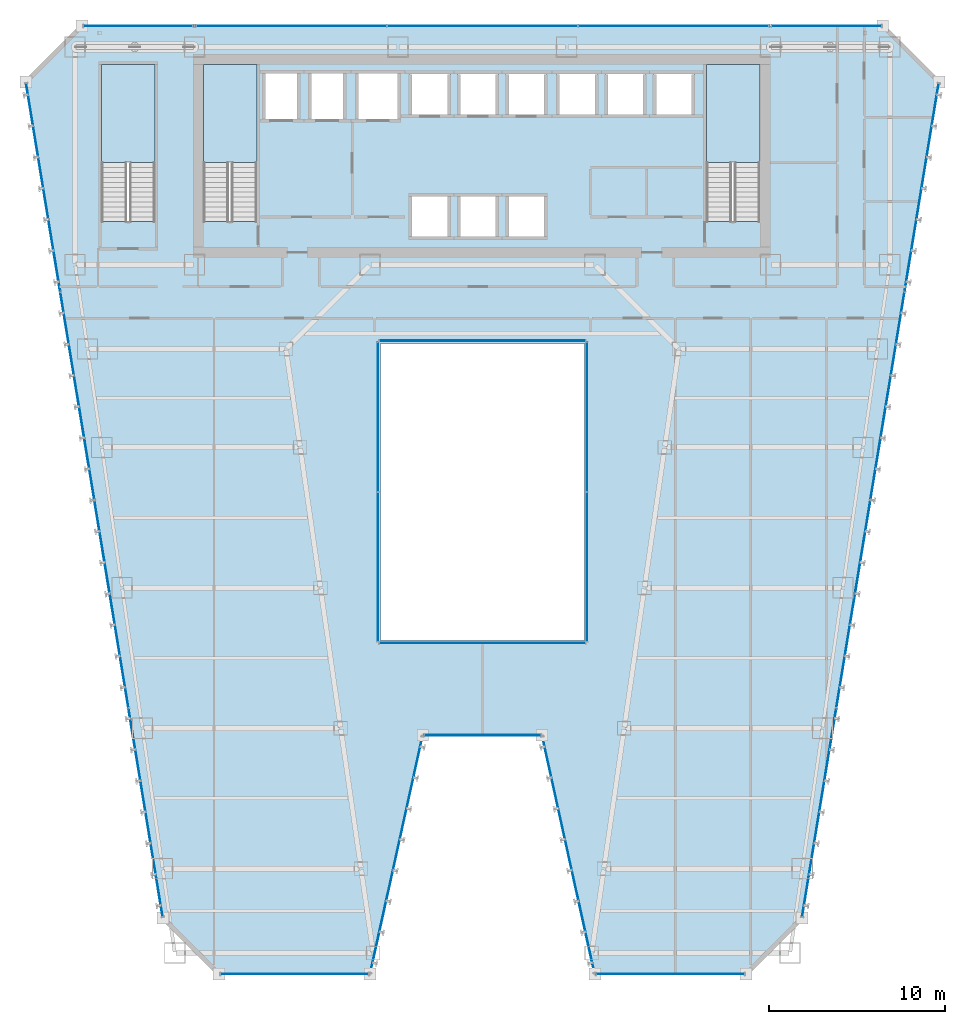
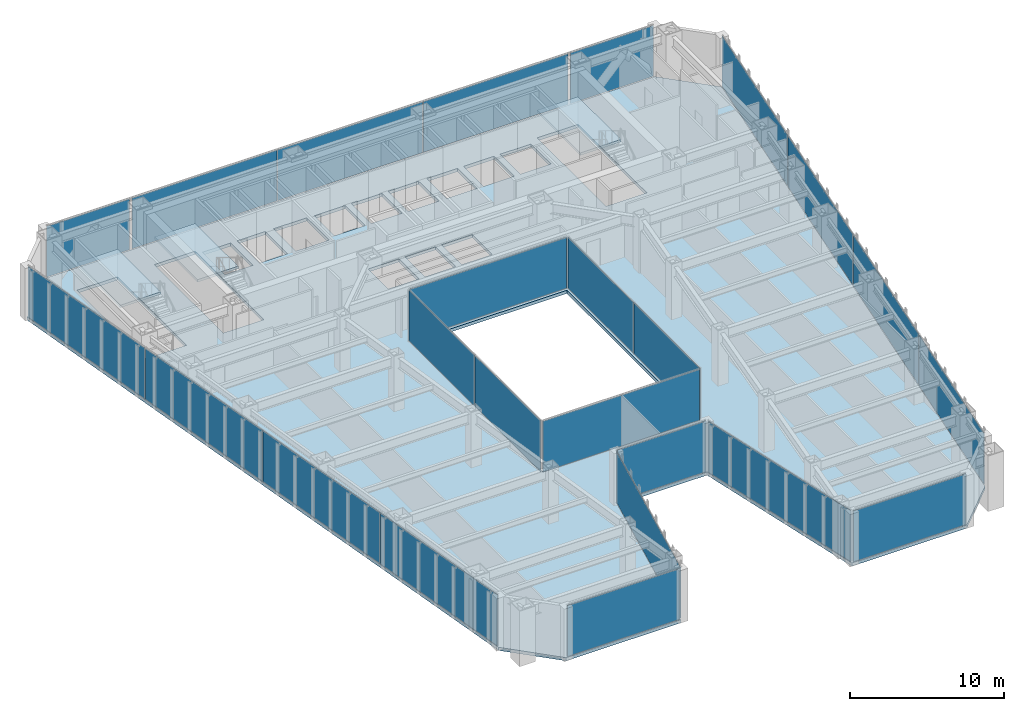
# One storey, part 34 of 47: 24 plates, 4 slabs, 17 elements without a shape of their own.
"""IFC4 building model written with IfcOpenShell, lengths in metres."""

from ifc_helpers import new_model, si_unit, direction, frame, origin, origin_2d, place, context, subcontext, project, spatial, polyline, rectangle, outline, extrude, material, layer, layer_set, type_object, element, aggregate, save


model = new_model("IFC4")

# Units and contexts
model_context = context("Model", 3, precision=1e-05, world=origin(), true_north=direction((0.0, 1.0)))
body_context = subcontext(model_context, "Body", "Model", "MODEL_VIEW")
ifc_project = project(units=[si_unit("LENGTHUNIT", "METRE"), si_unit("AREAUNIT", "SQUARE_METRE"), si_unit("VOLUMEUNIT", "CUBIC_METRE"), si_unit("PLANEANGLEUNIT", "RADIAN"), si_unit("MASSUNIT", "GRAM", prefix="KILO")], contexts=[model_context])

# Site, building, storey
site_placement = place(None, origin())
site = spatial("IfcSite", under=ifc_project, at=site_placement, CompositionType="ELEMENT")
building_placement = place(site_placement, origin())
building = spatial("IfcBuilding", under=site, at=building_placement, Name="Saevonmaru Cultural Tower", CompositionType="ELEMENT")
storey_placement = place(building_placement, frame((0.0, 0.0, 60.39990234375)))
storey = spatial("IfcBuildingStorey", under=building, at=storey_placement, Name="L12", CompositionType="ELEMENT", Elevation=60.39990234375)

# Curtain wall, plate
ifc_material_1 = material(Name="Satin Bronze Anodised Aluminium", Category="aluminium")
curtain_wall_type_1 = type_object("IfcCurtainWallType", Name="CW-ATR-GLZ", PredefinedType="NOTDEFINED", material=ifc_material_1)
curtain_wall_1_placement = place(storey_placement, origin())
curtain_wall_1 = element("IfcCurtainWall", 1, at=curtain_wall_1_placement, inside=storey, type_object=curtain_wall_type_1, Name="L12 Vertical Atrium Glazed Smoke Screen 1", PredefinedType="NOTDEFINED")
ifc_material_2 = material(Name="Fire-Rated Laminated Atrium Glass", Category="glass")
ifc_layer_1 = layer(ifc_material_2, 0.031982421875, Name="Fire-Rated Laminated Atrium Glass")
ifc_layer_set_1 = layer_set([ifc_layer_1], Name="Fire-Rated Laminated Atrium Glass")
plate_type_1 = type_object("IfcPlateType", Name="PN-GLZ-ATR-INT", PredefinedType="CURTAIN_PANEL", material=ifc_layer_set_1)
plate_1_placement = place(storey_placement, frame((30.0, 20.85009765625, 0.067138671875), z_axis=(0.0, 0.0, 1.0), x_axis=(1.0, 0.0, 0.0)))
plate_1 = element("IfcPlate", 2, at=plate_1_placement, type_object=plate_type_1, Name="CW-ATR-L12-1 panel 1.1", PredefinedType="CURTAIN_PANEL", context=body_context, shape_type="SweptSolid", body=[
    extrude(rectangle(XDim=11.7109375, YDim=0.031982421875, at=origin_2d()), origin(), (0.0, 0.0, 1.0), 4.01611328125),
])
aggregate(curtain_wall_1, [plate_1])

# Curtain wall, plates
curtain_wall_2_placement = place(storey_placement, origin())
curtain_wall_2 = element("IfcCurtainWall", 3, at=curtain_wall_2_placement, inside=storey, type_object=curtain_wall_type_1, Name="L12 Vertical Atrium Glazed Smoke Screen 2", PredefinedType="NOTDEFINED")
plate_2_placement = place(storey_placement, frame((35.949951171875, 25.18505859375, 0.067138671875), z_axis=(0.0, 0.0, 1.0), x_axis=(0.0, 1.0, 0.0)))
plate_2 = element("IfcPlate", 4, at=plate_2_placement, type_object=plate_type_1, Name="CW-ATR-L12-2 panel 1.1", PredefinedType="CURTAIN_PANEL", context=body_context, shape_type="SweptSolid", body=[
    extrude(rectangle(XDim=8.48095703125, YDim=0.031982421875, at=origin_2d()), origin(), (0.0, 0.0, 1.0), 4.01611328125),
])
plate_3_placement = place(storey_placement, frame((35.949951171875, 33.735107421875, 0.067138671875), z_axis=(0.0, 0.0, 1.0), x_axis=(0.0, 1.0, 0.0)))
plate_3 = element("IfcPlate", 5, at=plate_3_placement, type_object=plate_type_1, Name="CW-ATR-L12-2 panel 2.1", PredefinedType="CURTAIN_PANEL", context=body_context, shape_type="SweptSolid", body=[
    extrude(rectangle(XDim=8.48095703125, YDim=0.031982421875, at=origin_2d()), origin(), (0.0, 0.0, 1.0), 4.01611328125),
])
aggregate(curtain_wall_2, [plate_2, plate_3])

# Curtain wall, plate
curtain_wall_3_placement = place(storey_placement, origin())
curtain_wall_3 = element("IfcCurtainWall", 6, at=curtain_wall_3_placement, inside=storey, type_object=curtain_wall_type_1, Name="L12 Vertical Atrium Glazed Smoke Screen 3", PredefinedType="NOTDEFINED")
plate_4_placement = place(storey_placement, frame((30.0, 38.070068359375, 0.067138671875), z_axis=(0.0, 0.0, 1.0), x_axis=(-1.0, 0.0, 0.0)))
plate_4 = element("IfcPlate", 7, at=plate_4_placement, type_object=plate_type_1, Name="CW-ATR-L12-3 panel 1.1", PredefinedType="CURTAIN_PANEL", context=body_context, shape_type="SweptSolid", body=[
    extrude(rectangle(XDim=11.7109375, YDim=0.031982421875, at=origin_2d()), origin(), (0.0, 0.0, 1.0), 4.01611328125),
])
aggregate(curtain_wall_3, [plate_4])

# Curtain wall, plates
curtain_wall_4_placement = place(storey_placement, origin())
curtain_wall_4 = element("IfcCurtainWall", 8, at=curtain_wall_4_placement, inside=storey, type_object=curtain_wall_type_1, Name="L12 Vertical Atrium Glazed Smoke Screen 4", PredefinedType="NOTDEFINED")
plate_5_placement = place(storey_placement, frame((24.050048828125, 33.735107421875, 0.067138671875), z_axis=(0.0, 0.0, 1.0), x_axis=(0.0, -1.0, 0.0)))
plate_5 = element("IfcPlate", 9, at=plate_5_placement, type_object=plate_type_1, Name="CW-ATR-L12-4 panel 1.1", PredefinedType="CURTAIN_PANEL", context=body_context, shape_type="SweptSolid", body=[
    extrude(rectangle(XDim=8.48095703125, YDim=0.031982421875, at=origin_2d()), origin(), (0.0, 0.0, 1.0), 4.01611328125),
])
plate_6_placement = place(storey_placement, frame((24.050048828125, 25.18505859375, 0.067138671875), z_axis=(0.0, 0.0, 1.0), x_axis=(0.0, -1.0, 0.0)))
plate_6 = element("IfcPlate", 10, at=plate_6_placement, type_object=plate_type_1, Name="CW-ATR-L12-4 panel 2.1", PredefinedType="CURTAIN_PANEL", context=body_context, shape_type="SweptSolid", body=[
    extrude(rectangle(XDim=8.48095703125, YDim=0.031982421875, at=origin_2d()), origin(), (0.0, 0.0, 1.0), 4.01611328125),
])
aggregate(curtain_wall_4, [plate_5, plate_6])

# Curtain wall, plate
curtain_wall_type_2 = type_object("IfcCurtainWallType", Name="CW-TYP-A", PredefinedType="NOTDEFINED", material=ifc_material_1)
curtain_wall_5_placement = place(storey_placement, origin())
curtain_wall_5 = element("IfcCurtainWall", 11, at=curtain_wall_5_placement, inside=storey, type_object=curtain_wall_type_2, Name="L12 Unitised Curtain Wall E2", PredefinedType="NOTDEFINED")
ifc_material_3 = material(Name="Triple Silver Low-E Insulating Glass", Category="glass")
ifc_layer_2 = layer(ifc_material_3, 0.035888671875, Name="Triple Silver Low-E Insulating Glass")
ifc_layer_set_2 = layer_set([ifc_layer_2], Name="Triple Silver Low-E Insulating Glass")
plate_type_2 = type_object("IfcPlateType", Name="PN-GLZ-IGU", PredefinedType="CURTAIN_PANEL", material=ifc_layer_set_2)
plate_7_placement = place(storey_placement, frame((19.300048828125, 2.0, 0.067138671875), z_axis=(0.0, 0.0, 1.0), x_axis=(1.0, 0.0, 0.0)))
plate_7 = element("IfcPlate", 12, at=plate_7_placement, type_object=plate_type_2, Name="CW-TW-L12-E2 panel 1.1", PredefinedType="CURTAIN_PANEL", context=body_context, shape_type="SweptSolid", body=[
    extrude(rectangle(XDim=8.410888671875, YDim=0.035888671875, at=origin_2d()), origin(), (0.0, 0.0, 1.0), 4.01611328125),
])
aggregate(curtain_wall_5, [plate_7])

curtain_wall_6_placement = place(storey_placement, origin())
curtain_wall_6 = element("IfcCurtainWall", 13, at=curtain_wall_6_placement, inside=storey, type_object=curtain_wall_type_2, Name="L12 Unitised Curtain Wall E3", PredefinedType="NOTDEFINED")
plate_8_placement = place(storey_placement, frame((25.10009765625, 8.800048828125, 0.067138671875), z_axis=(0.0, 0.0, 1.0), x_axis=(0.215413319953, 0.976522965212, 0.0)))
plate_8 = element("IfcPlate", 14, at=plate_8_placement, type_object=plate_type_2, Name="CW-TW-L12-E3 panel 1.1", PredefinedType="CURTAIN_PANEL", context=body_context, shape_type="SweptSolid", body=[
    extrude(rectangle(XDim=13.738037109375, YDim=0.035888671875, at=origin_2d()), origin(), (0.0, 0.0, 1.0), 4.01611328125),
])
aggregate(curtain_wall_6, [plate_8])

curtain_wall_7_placement = place(storey_placement, origin())
curtain_wall_7 = element("IfcCurtainWall", 15, at=curtain_wall_7_placement, inside=storey, type_object=curtain_wall_type_2, Name="L12 Unitised Curtain Wall E4", PredefinedType="NOTDEFINED")
plate_9_placement = place(storey_placement, frame((30.0, 15.60009765625, 0.067138671875), z_axis=(0.0, 0.0, 1.0), x_axis=(1.0, 0.0, 0.0)))
plate_9 = element("IfcPlate", 16, at=plate_9_placement, type_object=plate_type_2, Name="CW-TW-L12-E4 panel 1.1", PredefinedType="CURTAIN_PANEL", context=body_context, shape_type="SweptSolid", body=[
    extrude(rectangle(XDim=6.611083984375, YDim=0.035888671875, at=origin_2d()), origin(), (0.0, 0.0, 1.0), 4.01611328125),
])
aggregate(curtain_wall_7, [plate_9])

curtain_wall_8_placement = place(storey_placement, origin())
curtain_wall_8 = element("IfcCurtainWall", 17, at=curtain_wall_8_placement, inside=storey, type_object=curtain_wall_type_2, Name="L12 Unitised Curtain Wall E5", PredefinedType="NOTDEFINED")
plate_10_placement = place(storey_placement, frame((34.89990234375, 8.800048828125, 0.067138671875), z_axis=(0.0, 0.0, 1.0), x_axis=(0.215413319953, -0.976522965212, 0.0)))
plate_10 = element("IfcPlate", 18, at=plate_10_placement, type_object=plate_type_2, Name="CW-TW-L12-E5 panel 1.1", PredefinedType="CURTAIN_PANEL", context=body_context, shape_type="SweptSolid", body=[
    extrude(rectangle(XDim=13.738037109375, YDim=0.035888671875, at=origin_2d()), origin(), (0.0, 0.0, 1.0), 4.01611328125),
])
aggregate(curtain_wall_8, [plate_10])

curtain_wall_9_placement = place(storey_placement, origin())
curtain_wall_9 = element("IfcCurtainWall", 19, at=curtain_wall_9_placement, inside=storey, type_object=curtain_wall_type_2, Name="L12 Unitised Curtain Wall E6", PredefinedType="NOTDEFINED")
plate_11_placement = place(storey_placement, frame((40.699951171875, 2.0, 0.067138671875), z_axis=(0.0, 0.0, 1.0), x_axis=(1.0, 0.0, 0.0)))
plate_11 = element("IfcPlate", 20, at=plate_11_placement, type_object=plate_type_2, Name="CW-TW-L12-E6 panel 1.1", PredefinedType="CURTAIN_PANEL", context=body_context, shape_type="SweptSolid", body=[
    extrude(rectangle(XDim=8.410888671875, YDim=0.035888671875, at=origin_2d()), origin(), (0.0, 0.0, 1.0), 4.01611328125),
])
aggregate(curtain_wall_9, [plate_11])

# Curtain wall, plates
curtain_wall_10_placement = place(storey_placement, origin())
curtain_wall_10 = element("IfcCurtainWall", 21, at=curtain_wall_10_placement, inside=storey, type_object=curtain_wall_type_2, Name="L12 Unitised Curtain Wall E8", PredefinedType="NOTDEFINED")
plate_12_placement = place(storey_placement, frame((49.182373046875, 11.1943359375, 0.067138671875), z_axis=(0.0, 0.0, 1.0), x_axis=(0.161708868641, 0.986838508472, 0.0)))
plate_12 = element("IfcPlate", 22, at=plate_12_placement, type_object=plate_type_2, Name="CW-TW-L12-E8 panel 1.1", PredefinedType="CURTAIN_PANEL", context=body_context, shape_type="SweptSolid", body=[
    extrude(rectangle(XDim=11.959716796875, YDim=0.035888671875, at=origin_2d()), origin(), (0.0, 0.0, 1.0), 4.01611328125),
])
plate_13_placement = place(storey_placement, frame((51.12744140625, 23.064697265625, 0.067138671875), z_axis=(0.0, 0.0, 1.0), x_axis=(0.161708868641, 0.986838508472, 0.0)))
plate_13 = element("IfcPlate", 23, at=plate_13_placement, type_object=plate_type_2, Name="CW-TW-L12-E8 panel 2.1", PredefinedType="CURTAIN_PANEL", context=body_context, shape_type="SweptSolid", body=[
    extrude(rectangle(XDim=11.959716796875, YDim=0.035888671875, at=origin_2d()), origin(), (0.0, 0.0, 1.0), 4.01611328125),
])
plate_14_placement = place(storey_placement, frame((53.072509765625, 34.935302734375, 0.067138671875), z_axis=(0.0, 0.0, 1.0), x_axis=(0.161708868641, 0.986838508472, 0.0)))
plate_14 = element("IfcPlate", 24, at=plate_14_placement, type_object=plate_type_2, Name="CW-TW-L12-E8 panel 3.1", PredefinedType="CURTAIN_PANEL", context=body_context, shape_type="SweptSolid", body=[
    extrude(rectangle(XDim=11.959716796875, YDim=0.035888671875, at=origin_2d()), origin(), (0.0, 0.0, 1.0), 4.01611328125),
])
plate_15_placement = place(storey_placement, frame((55.017822265625, 46.8056640625, 0.067138671875), z_axis=(0.0, 0.0, 1.0), x_axis=(0.161708868641, 0.986838508472, 0.0)))
plate_15 = element("IfcPlate", 25, at=plate_15_placement, type_object=plate_type_2, Name="CW-TW-L12-E8 panel 4.1", PredefinedType="CURTAIN_PANEL", context=body_context, shape_type="SweptSolid", body=[
    extrude(rectangle(XDim=11.959716796875, YDim=0.035888671875, at=origin_2d()), origin(), (0.0, 0.0, 1.0), 4.01611328125),
])
aggregate(curtain_wall_10, [plate_12, plate_13, plate_14, plate_15])

curtain_wall_11_placement = place(storey_placement, origin())
curtain_wall_11 = element("IfcCurtainWall", 26, at=curtain_wall_11_placement, inside=storey, type_object=curtain_wall_type_2, Name="L12 North Spine Unitised Curtain Wall E10B", PredefinedType="NOTDEFINED")
plate_16_placement = place(storey_placement, frame((40.893310546875, 56.0, 0.067138671875), z_axis=(0.0, 0.0, 1.0), x_axis=(-1.0, 0.0, 0.0)))
plate_16 = element("IfcPlate", 27, at=plate_16_placement, type_object=plate_type_2, Name="CW-TW-L12-E10B panel 1.1", PredefinedType="CURTAIN_PANEL", context=body_context, shape_type="SweptSolid", body=[
    extrude(rectangle(XDim=10.82421875, YDim=0.035888671875, at=origin_2d()), origin(), (0.0, 0.0, 1.0), 4.01611328125),
])
plate_17_placement = place(storey_placement, frame((30.0, 56.0, 0.067138671875), z_axis=(0.0, 0.0, 1.0), x_axis=(-1.0, 0.0, 0.0)))
plate_17 = element("IfcPlate", 28, at=plate_17_placement, type_object=plate_type_2, Name="CW-TW-L12-E10B panel 2.1", PredefinedType="CURTAIN_PANEL", context=body_context, shape_type="SweptSolid", body=[
    extrude(rectangle(XDim=10.82421875, YDim=0.035888671875, at=origin_2d()), origin(), (0.0, 0.0, 1.0), 4.01611328125),
])
plate_18_placement = place(storey_placement, frame((19.106689453125, 56.0, 0.067138671875), z_axis=(0.0, 0.0, 1.0), x_axis=(-1.0, 0.0, 0.0)))
plate_18 = element("IfcPlate", 29, at=plate_18_placement, type_object=plate_type_2, Name="CW-TW-L12-E10B panel 3.1", PredefinedType="CURTAIN_PANEL", context=body_context, shape_type="SweptSolid", body=[
    extrude(rectangle(XDim=10.82421875, YDim=0.035888671875, at=origin_2d()), origin(), (0.0, 0.0, 1.0), 4.01611328125),
])
aggregate(curtain_wall_11, [plate_16, plate_17, plate_18])

curtain_wall_12_placement = place(storey_placement, origin())
curtain_wall_12 = element("IfcCurtainWall", 30, at=curtain_wall_12_placement, inside=storey, type_object=curtain_wall_type_2, Name="L12 Unitised Curtain Wall E12", PredefinedType="NOTDEFINED")
plate_19_placement = place(storey_placement, frame((4.982177734375, 46.8056640625, 0.067138671875), z_axis=(0.0, 0.0, 1.0), x_axis=(0.161708868641, -0.986838508472, 0.0)))
plate_19 = element("IfcPlate", 31, at=plate_19_placement, type_object=plate_type_2, Name="CW-TW-L12-E12 panel 1.1", PredefinedType="CURTAIN_PANEL", context=body_context, shape_type="SweptSolid", body=[
    extrude(rectangle(XDim=11.959716796875, YDim=0.035888671875, at=origin_2d()), origin(), (0.0, 0.0, 1.0), 4.01611328125),
])
plate_20_placement = place(storey_placement, frame((6.927490234375, 34.935302734375, 0.067138671875), z_axis=(0.0, 0.0, 1.0), x_axis=(0.161708868641, -0.986838508472, 0.0)))
plate_20 = element("IfcPlate", 32, at=plate_20_placement, type_object=plate_type_2, Name="CW-TW-L12-E12 panel 2.1", PredefinedType="CURTAIN_PANEL", context=body_context, shape_type="SweptSolid", body=[
    extrude(rectangle(XDim=11.959716796875, YDim=0.035888671875, at=origin_2d()), origin(), (0.0, 0.0, 1.0), 4.01611328125),
])
plate_21_placement = place(storey_placement, frame((8.87255859375, 23.064697265625, 0.067138671875), z_axis=(0.0, 0.0, 1.0), x_axis=(0.161708868641, -0.986838508472, 0.0)))
plate_21 = element("IfcPlate", 33, at=plate_21_placement, type_object=plate_type_2, Name="CW-TW-L12-E12 panel 3.1", PredefinedType="CURTAIN_PANEL", context=body_context, shape_type="SweptSolid", body=[
    extrude(rectangle(XDim=11.959716796875, YDim=0.035888671875, at=origin_2d()), origin(), (0.0, 0.0, 1.0), 4.01611328125),
])
plate_22_placement = place(storey_placement, frame((10.817626953125, 11.1943359375, 0.067138671875), z_axis=(0.0, 0.0, 1.0), x_axis=(0.161708868641, -0.986838508472, 0.0)))
plate_22 = element("IfcPlate", 34, at=plate_22_placement, type_object=plate_type_2, Name="CW-TW-L12-E12 panel 4.1", PredefinedType="CURTAIN_PANEL", context=body_context, shape_type="SweptSolid", body=[
    extrude(rectangle(XDim=11.959716796875, YDim=0.035888671875, at=origin_2d()), origin(), (0.0, 0.0, 1.0), 4.01611328125),
])
aggregate(curtain_wall_12, [plate_19, plate_20, plate_21, plate_22])

# Curtain wall, plate
curtain_wall_13_placement = place(storey_placement, origin())
curtain_wall_13 = element("IfcCurtainWall", 35, at=curtain_wall_13_placement, inside=storey, type_object=curtain_wall_type_2, Name="L12 East Braced Bay Spandrel Curtain Wall E10A", PredefinedType="NOTDEFINED")
ifc_material_4 = material(Name="Insulated Satin Bronze Aluminium Spandrel Panel", Category="aluminium")
ifc_layer_3 = layer(ifc_material_4, 0.0400390625, Name="Insulated Satin Bronze Aluminium Spandrel Panel")
ifc_layer_set_3 = layer_set([ifc_layer_3], Name="Insulated Satin Bronze Aluminium Spandrel Panel")
plate_type_3 = type_object("IfcPlateType", Name="PN-SPANDREL-BRONZE", PredefinedType="CURTAIN_PANEL", material=ifc_layer_set_3)
plate_23_placement = place(storey_placement, frame((49.60009765625, 56.0, 0.067138671875), z_axis=(0.0, 0.0, 1.0), x_axis=(-1.0, 0.0, 0.0)))
plate_23 = element("IfcPlate", 36, at=plate_23_placement, type_object=plate_type_3, Name="CW-TW-L12-E10A panel 1.1", PredefinedType="CURTAIN_PANEL", context=body_context, shape_type="SweptSolid", body=[
    extrude(rectangle(XDim=6.2109375, YDim=0.035888671875, at=origin_2d()), origin(), (0.0, 0.0, 1.0), 4.01611328125),
])
aggregate(curtain_wall_13, [plate_23])

curtain_wall_14_placement = place(storey_placement, origin())
curtain_wall_14 = element("IfcCurtainWall", 37, at=curtain_wall_14_placement, inside=storey, type_object=curtain_wall_type_2, Name="L12 West Braced Bay Spandrel Curtain Wall E10C", PredefinedType="NOTDEFINED")
plate_24_placement = place(storey_placement, frame((10.39990234375, 56.0, 0.067138671875), z_axis=(0.0, 0.0, 1.0), x_axis=(-1.0, 0.0, 0.0)))
plate_24 = element("IfcPlate", 38, at=plate_24_placement, type_object=plate_type_3, Name="CW-TW-L12-E10C panel 1.1", PredefinedType="CURTAIN_PANEL", context=body_context, shape_type="SweptSolid", body=[
    extrude(rectangle(XDim=6.2109375, YDim=0.035888671875, at=origin_2d()), origin(), (0.0, 0.0, 1.0), 4.01611328125),
])
aggregate(curtain_wall_14, [plate_24])

# Slab
ifc_material_5 = material(Name="Concrete C40/50", Category="concrete")
ifc_layer_4 = layer(ifc_material_5, 0.25, Name="Concrete C40/50")
ifc_layer_set_4 = layer_set([ifc_layer_4], Name="Concrete C40/50")
slab_type_1 = type_object("IfcSlabType", Name="SL-FLR-250", PredefinedType="FLOOR", material=ifc_layer_set_4)
slab_1_placement = place(storey_placement, frame((0.0, 0.0, -0.25)))
element("IfcSlab", 39, at=slab_1_placement, inside=storey, type_object=slab_type_1, Name="L12 Tower Structural Floor Slab", PredefinedType="FLOOR", context=body_context, shape_type="SweptSolid", body=[
    extrude(outline(polyline([(11.800048828125, 5.199951171875), (15.0, 2.0), (23.60009765625, 2.0), (26.60009765625, 15.60009765625), (33.39990234375, 15.60009765625), (36.39990234375, 2.0), (45.0, 2.0), (48.199951171875, 5.199951171875), (56.0, 52.800048828125), (52.800048828125, 56.0), (7.199951171875, 56.0), (4.0, 52.800048828125), (11.800048828125, 5.199951171875)]), holes=[polyline([(45.800048828125, 44.875), (42.75, 44.875), (42.75, 53.800048828125), (45.800048828125, 53.800048828125), (45.800048828125, 44.875)]), polyline([(39.75, 50.800048828125), (39.75, 53.39990234375), (42.050048828125, 53.39990234375), (42.050048828125, 50.800048828125), (39.75, 50.800048828125)]), polyline([(37.0, 50.800048828125), (37.0, 53.39990234375), (39.300048828125, 53.39990234375), (39.300048828125, 50.800048828125), (37.0, 50.800048828125)]), polyline([(34.25, 50.800048828125), (34.25, 53.39990234375), (36.550048828125, 53.39990234375), (36.550048828125, 50.800048828125), (34.25, 50.800048828125)]), polyline([(24.199951171875, 21.0), (24.199951171875, 37.919921875), (35.800048828125, 37.919921875), (35.800048828125, 21.0), (24.199951171875, 21.0)]), polyline([(31.35009765625, 50.800048828125), (31.35009765625, 53.39990234375), (33.64990234375, 53.39990234375), (33.64990234375, 50.800048828125), (31.35009765625, 50.800048828125)]), polyline([(31.35009765625, 43.85009765625), (31.35009765625, 46.449951171875), (33.64990234375, 46.449951171875), (33.64990234375, 43.85009765625), (31.35009765625, 43.85009765625)]), polyline([(28.60009765625, 43.85009765625), (28.60009765625, 46.449951171875), (30.89990234375, 46.449951171875), (30.89990234375, 43.85009765625), (28.60009765625, 43.85009765625)]), polyline([(28.60009765625, 50.800048828125), (28.60009765625, 53.39990234375), (30.89990234375, 53.39990234375), (30.89990234375, 50.800048828125), (28.60009765625, 50.800048828125)]), polyline([(25.85009765625, 50.800048828125), (25.85009765625, 53.39990234375), (28.14990234375, 53.39990234375), (28.14990234375, 50.800048828125), (25.85009765625, 50.800048828125)]), polyline([(25.85009765625, 43.85009765625), (25.85009765625, 46.449951171875), (28.14990234375, 46.449951171875), (28.14990234375, 43.85009765625), (25.85009765625, 43.85009765625)]), polyline([(22.800048828125, 50.550048828125), (22.800048828125, 53.449951171875), (25.300048828125, 53.449951171875), (25.300048828125, 50.550048828125), (22.800048828125, 50.550048828125)]), polyline([(20.10009765625, 50.550048828125), (20.10009765625, 53.449951171875), (22.199951171875, 53.449951171875), (22.199951171875, 50.550048828125), (20.10009765625, 50.550048828125)]), polyline([(17.5, 50.550048828125), (17.5, 53.449951171875), (19.60009765625, 53.449951171875), (19.60009765625, 50.550048828125), (17.5, 50.550048828125)]), polyline([(17.14990234375, 44.875), (14.10009765625, 44.875), (14.10009765625, 53.800048828125), (17.14990234375, 53.800048828125), (17.14990234375, 44.875)]), polyline([(11.35009765625, 44.875), (8.300048828125, 44.875), (8.300048828125, 53.800048828125), (11.35009765625, 53.800048828125), (11.35009765625, 44.875)])]), origin(), (0.0, 0.0, 1.0), 0.25),
])

# Stair, slab
stair_type = type_object("IfcStairType", Name="STR-DOGLEG-RC", PredefinedType="HALF_TURN_STAIR", material=ifc_material_5)
stair_1_placement = place(storey_placement, origin())
stair_1 = element("IfcStair", 40, at=stair_1_placement, inside=storey, type_object=stair_type, Name="L12 Protected exit stair ST-1", PredefinedType="HALF_TURN_STAIR")
ifc_layer_5 = layer(ifc_material_5, 0.199951171875, Name="Concrete C40/50")
ifc_layer_set_5 = layer_set([ifc_layer_5], Name="Concrete C40/50")
slab_type_2 = type_object("IfcSlabType", Name="SL-STAIR-LANDING", PredefinedType="LANDING", material=ifc_layer_set_5)
slab_2_placement = place(storey_placement, frame((0.0, 0.0, 2.0)))
slab_2 = element("IfcSlab", 41, at=slab_2_placement, type_object=slab_type_2, Name="ST-1-L12 landing 1", PredefinedType="LANDING", context=body_context, shape_type="SweptSolid", body=[
    extrude(outline(polyline([(17.14990234375, 48.2099609375), (17.14990234375, 53.800048828125), (14.10009765625, 53.800048828125), (14.10009765625, 48.2099609375), (17.14990234375, 48.2099609375)])), origin(), (0.0, 0.0, 1.0), 0.2001953125),
])
aggregate(stair_1, [slab_2])

stair_2_placement = place(storey_placement, origin())
stair_2 = element("IfcStair", 42, at=stair_2_placement, inside=storey, type_object=stair_type, Name="L12 Protected exit stair ST-2", PredefinedType="HALF_TURN_STAIR")
slab_3_placement = place(storey_placement, frame((0.0, 0.0, 2.0)))
slab_3 = element("IfcSlab", 43, at=slab_3_placement, type_object=slab_type_2, Name="ST-2-L12 landing 1", PredefinedType="LANDING", context=body_context, shape_type="SweptSolid", body=[
    extrude(outline(polyline([(45.800048828125, 48.2099609375), (45.800048828125, 53.800048828125), (42.75, 53.800048828125), (42.75, 48.2099609375), (45.800048828125, 48.2099609375)])), origin(), (0.0, 0.0, 1.0), 0.2001953125),
])
aggregate(stair_2, [slab_3])

stair_3_placement = place(storey_placement, origin())
stair_3 = element("IfcStair", 44, at=stair_3_placement, inside=storey, type_object=stair_type, Name="L12 Protected exit stair ST-3", PredefinedType="HALF_TURN_STAIR")
slab_4_placement = place(storey_placement, frame((0.0, 0.0, 2.0)))
slab_4 = element("IfcSlab", 45, at=slab_4_placement, type_object=slab_type_2, Name="ST-3-L12 landing 1", PredefinedType="LANDING", context=body_context, shape_type="SweptSolid", body=[
    extrude(outline(polyline([(11.35009765625, 48.2099609375), (11.35009765625, 53.800048828125), (8.300048828125, 53.800048828125), (8.300048828125, 48.2099609375), (11.35009765625, 48.2099609375)])), origin(), (0.0, 0.0, 1.0), 0.2001953125),
])
aggregate(stair_3, [slab_4])

save(model, "model.ifc")
